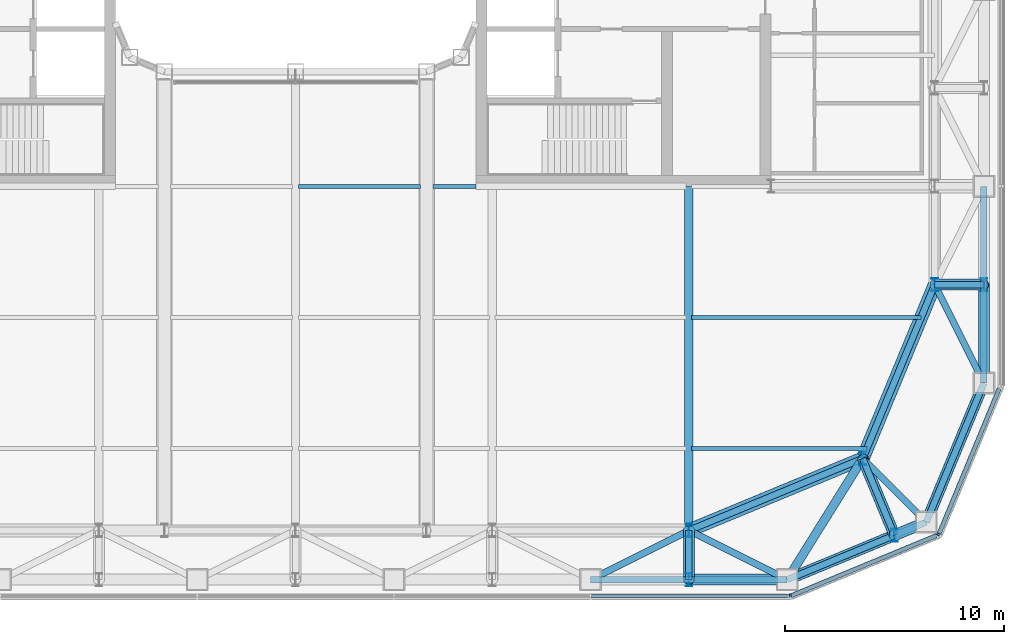
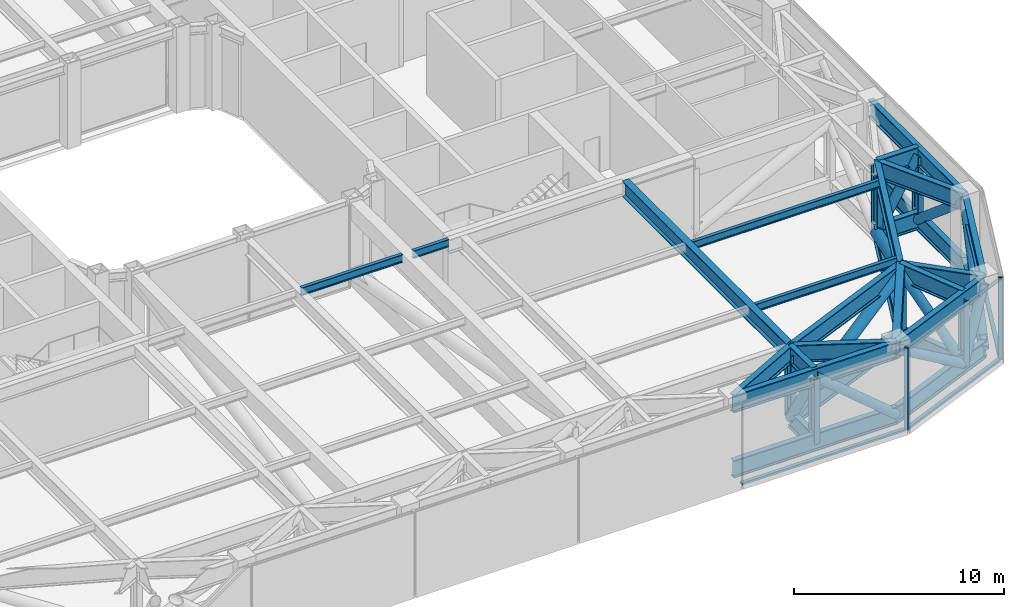
# One storey, part 5 of 33: 28 beams, 21 members, 3 elements without a shape of their own.
"""IFC4 building model written with IfcOpenShell, lengths in metres."""

from ifc_helpers import new_model, si_unit, direction, frame, origin, origin_2d, place, context, subcontext, project, spatial, rectangle, hollow_rectangle, hollow_circle, i_section, extrude, material, layer, layer_set, material_profile, profile_set, type_object, element, aggregate, save


model = new_model("IFC4")

# Units and contexts
model_context = context("Model", 3, precision=1e-05, world=origin(), true_north=direction((0.0, 1.0)))
body_context = subcontext(model_context, "Body", "Model", "MODEL_VIEW")
ifc_project = project(units=[si_unit("LENGTHUNIT", "METRE"), si_unit("AREAUNIT", "SQUARE_METRE"), si_unit("VOLUMEUNIT", "CUBIC_METRE"), si_unit("PLANEANGLEUNIT", "RADIAN"), si_unit("MASSUNIT", "GRAM", prefix="KILO")], contexts=[model_context])

# Site, building, storey
site_placement = place(None, origin())
site = spatial("IfcSite", under=ifc_project, at=site_placement, CompositionType="ELEMENT")
building_placement = place(site_placement, origin())
building = spatial("IfcBuilding", under=site, at=building_placement, Name="Siwar Civic Tower", CompositionType="ELEMENT")
storey_placement = place(building_placement, frame((0.0, 0.0, 94.199951171875)))
storey = spatial("IfcBuildingStorey", under=building, at=storey_placement, Name="L20", CompositionType="ELEMENT", Elevation=94.199951171875)

# Curtain wall, member
ifc_material_1 = material(Name="Aluminium and glass", Category="aluminium")
ifc_layer = layer(ifc_material_1, 0.199951171875)
ifc_layer_set = layer_set([ifc_layer], Name="Aluminium and glass")
curtain_wall_type = type_object("IfcCurtainWallType", Name="ENV-CW-P", PredefinedType="NOTDEFINED", material=ifc_layer_set)
curtain_wall_1_placement = place(storey_placement, origin())
curtain_wall_1 = element("IfcCurtainWall", 1, at=curtain_wall_1_placement, inside=storey, type_object=curtain_wall_type, Name="Curtain wall P SE1", PredefinedType="NOTDEFINED")
ifc_material_2 = material(Name="Aluminium 6063-T6", Category="aluminium")
ifc_material_profile_1 = material_profile(ifc_material_2, rectangle(XDim=0.199951171875, YDim=0.10009765625, at=origin_2d()), Name="AL 200x100")
ifc_profile_set_1 = profile_set([ifc_material_profile_1], Name="Aluminium 6063-T6")
member_type_1 = type_object("IfcMemberType", Name="ENV-MULLION-P", PredefinedType="MULLION", material=ifc_profile_set_1)
member_1_placement = place(storey_placement, frame((22.649169921875, -32.25, 0.0), z_axis=(0.0, 0.0, 1.0), x_axis=(-0.382683432365, 0.923879532511, 0.0)))
member_1 = element("IfcMember", 2, at=member_1_placement, type_object=member_type_1, Name="Mullion P SE1 1", PredefinedType="MULLION", context=body_context, shape_type="SweptSolid", body=[
    extrude(rectangle(XDim=0.199951171875, YDim=0.10009765625, at=origin_2d()), origin(), (0.0, 0.0, 1.0), 4.800048828125),
])

curtain_wall_2_placement = place(storey_placement, origin())
curtain_wall_2 = element("IfcCurtainWall", 3, at=curtain_wall_2_placement, inside=storey, type_object=curtain_wall_type, Name="Curtain wall P SE2", PredefinedType="NOTDEFINED")
member_2_placement = place(storey_placement, frame((29.43798828125, -29.43798828125, 0.0), z_axis=(0.0, 0.0, 1.0), x_axis=(-0.923879532511, 0.382683432365, 0.0)))
member_2 = element("IfcMember", 4, at=member_2_placement, type_object=member_type_1, Name="Mullion P SE2 1", PredefinedType="MULLION", context=body_context, shape_type="SweptSolid", body=[
    extrude(rectangle(XDim=0.199951171875, YDim=0.10009765625, at=origin_2d()), origin(), (0.0, 0.0, 1.0), 4.800048828125),
])

curtain_wall_3_placement = place(storey_placement, origin())
curtain_wall_3 = element("IfcCurtainWall", 5, at=curtain_wall_3_placement, inside=storey, type_object=curtain_wall_type, Name="Curtain wall P S", PredefinedType="NOTDEFINED")
ifc_material_3 = material(Name="Aluminium 6063-T6", Category="aluminium")
ifc_material_profile_2 = material_profile(ifc_material_3, rectangle(XDim=0.199951171875, YDim=0.1201171875, at=origin_2d()), Name="AL 200x120")
ifc_profile_set_2 = profile_set([ifc_material_profile_2], Name="Aluminium 6063-T6")
member_type_2 = type_object("IfcMemberType", Name="ENV-TRANSOM-P", PredefinedType="USERDEFINED", material=ifc_profile_set_2)
member_3_placement = place(storey_placement, frame((13.550048828125, -32.25, 0.06005859375), z_axis=(1.0, 0.0, 0.0), x_axis=(0.0, 1.0, 0.0)))
member_3 = element("IfcMember", 6, at=member_3_placement, type_object=member_type_2, Name="Transom P S 5", ObjectType="TRANSOM", PredefinedType="USERDEFINED", context=body_context, shape_type="SweptSolid", body=[
    extrude(rectangle(XDim=0.199951171875, YDim=0.1201171875, at=origin_2d()), origin(), (0.0, 0.0, 1.0), 8.97314453125),
])
aggregate(curtain_wall_3, [member_3])

# Member
member_4_placement = place(storey_placement, frame((22.6953125, -32.23095703125, 0.06005859375), z_axis=(0.923881582012, 0.382678484395, 0.0), x_axis=(-0.382678484395, 0.923881582012, 0.0)))
member_4 = element("IfcMember", 7, at=member_4_placement, type_object=member_type_2, Name="Transom P SE1 1", ObjectType="TRANSOM", PredefinedType="USERDEFINED", context=body_context, shape_type="SweptSolid", body=[
    extrude(rectangle(XDim=0.199951171875, YDim=0.1201171875, at=origin_2d()), origin(), (0.0, 0.0, 1.0), 7.172119140625),
])

aggregate(curtain_wall_1, [member_1, member_4])

member_5_placement = place(storey_placement, frame((29.45703125, -29.391845703125, 0.06005859375), z_axis=(0.382678484395, 0.923881582012, 0.0), x_axis=(-0.923881582012, 0.382678484395, 0.0)))
member_5 = element("IfcMember", 8, at=member_5_placement, type_object=member_type_2, Name="Transom P SE2 1", ObjectType="TRANSOM", PredefinedType="USERDEFINED", context=body_context, shape_type="SweptSolid", body=[
    extrude(rectangle(XDim=0.199951171875, YDim=0.1201171875, at=origin_2d()), origin(), (0.0, 0.0, 1.0), 7.172119140625),
])

aggregate(curtain_wall_2, [member_2, member_5])

# Beams
ifc_material_4 = material(Name="Steel S460", Category="steel")
ifc_material_profile_3 = material_profile(ifc_material_4, i_section(OverallWidth=0.302001953125, OverallDepth=1.008056640625, WebThickness=0.02099609375, FlangeThickness=0.0400390625, FilletRadius=0.030029296875, at=origin_2d()), Name="HEM1000")
ifc_profile_set_3 = profile_set([ifc_material_profile_3], Name="Steel S460")
beam_type_1 = type_object("IfcBeamType", Name="STR-BELT-TRUSS-CHORD-HEM1000", PredefinedType="BEAM", material=ifc_profile_set_3)
for number, where, z_axis, x_axis, name in (
    (9, (18.0, -29.25, 0.504150390625), (0.923872720536, 0.382699877515, 0.0), (-0.382699877515, 0.923872720536, 0.0), "Belt truss chord"),
    (10, (18.0, -29.25, 4.296142578125), (0.923872720536, 0.382699877515, 0.0), (-0.382699877515, 0.923872720536, 0.0), "Belt truss chord"),
    (11, (25.954833984375, -25.954833984375, 0.504150390625), (0.382699877515, 0.923872720536, 0.0), (-0.923872720536, 0.382699877515, 0.0), "Belt truss chord"),
    (12, (25.954833984375, -25.954833984375, 4.296142578125), (0.382699877515, 0.923872720536, 0.0), (-0.923872720536, 0.382699877515, 0.0), "Belt truss chord"),
):
    element("IfcBeam", number, at=place(storey_placement, frame(where, z_axis=z_axis, x_axis=x_axis)), inside=storey, type_object=beam_type_1, Name=name, PredefinedType="BEAM", context=body_context, shape_type="SweptSolid", body=[
        extrude(i_section(OverallWidth=0.302001953125, OverallDepth=1.008056640625, WebThickness=0.02099609375, FlangeThickness=0.0400390625, FilletRadius=0.030029296875, at=origin_2d()), origin(), (0.0, 0.0, 1.0), 8.6103515625),
    ])
for number, where, z_axis, x_axis, name in (
    (13, (13.5, -31.5, 0.504150390625), (1.0, 0.0, 0.0), (0.0, 1.0, 0.0), "Belt truss chord"),
    (14, (13.5, -31.5, 4.296142578125), (1.0, 0.0, 0.0), (0.0, 1.0, 0.0), "Belt truss chord"),
):
    element("IfcBeam", number, at=place(storey_placement, frame(where, z_axis=z_axis, x_axis=x_axis)), inside=storey, type_object=beam_type_1, Name=name, PredefinedType="BEAM", context=body_context, shape_type="SweptSolid", body=[
        extrude(i_section(OverallWidth=0.302001953125, OverallDepth=1.008056640625, WebThickness=0.02099609375, FlangeThickness=0.0400390625, FilletRadius=0.030029296875, at=origin_2d()), origin(), (0.0, 0.0, 1.0), 9.0),
    ])
for number, where, z_axis, x_axis, name in (
    (15, (22.5, -31.5, 0.504150390625), (0.923883353507, 0.382674207535, 0.0), (-0.382674207535, 0.923883353507, 0.0), "Belt truss chord"),
    (16, (22.5, -31.5, 4.296142578125), (0.923883353507, 0.382674207535, 0.0), (-0.382674207535, 0.923883353507, 0.0), "Belt truss chord"),
    (17, (28.864013671875, -28.864013671875, 0.504150390625), (0.382674207535, 0.923883353507, 0.0), (-0.923883353507, 0.382674207535, 0.0), "Belt truss chord"),
    (18, (28.864013671875, -28.864013671875, 4.296142578125), (0.382674207535, 0.923883353507, 0.0), (-0.923883353507, 0.382674207535, 0.0), "Belt truss chord"),
):
    element("IfcBeam", number, at=place(storey_placement, frame(where, z_axis=z_axis, x_axis=x_axis)), inside=storey, type_object=beam_type_1, Name=name, PredefinedType="BEAM", context=body_context, shape_type="SweptSolid", body=[
        extrude(i_section(OverallWidth=0.302001953125, OverallDepth=1.008056640625, WebThickness=0.02099609375, FlangeThickness=0.0400390625, FilletRadius=0.030029296875, at=origin_2d()), origin(), (0.0, 0.0, 1.0), 6.888427734375),
    ])
for number, where, z_axis, x_axis, name in (
    (19, (31.5, -22.5, 0.504150390625), (0.0, 1.0, 0.0), (-1.0, 0.0, 0.0), "Belt truss chord"),
    (20, (31.5, -22.5, 4.296142578125), (0.0, 1.0, 0.0), (-1.0, 0.0, 0.0), "Belt truss chord"),
):
    element("IfcBeam", number, at=place(storey_placement, frame(where, z_axis=z_axis, x_axis=x_axis)), inside=storey, type_object=beam_type_1, Name=name, PredefinedType="BEAM", context=body_context, shape_type="SweptSolid", body=[
        extrude(i_section(OverallWidth=0.302001953125, OverallDepth=1.008056640625, WebThickness=0.02099609375, FlangeThickness=0.0400390625, FilletRadius=0.030029296875, at=origin_2d()), origin(), (0.0, 0.0, 1.0), 9.0),
    ])

# Members
ifc_material_5 = material(Name="Steel S355", Category="steel")
ifc_material_profile_4 = material_profile(ifc_material_5, hollow_circle(Radius=0.25390625, WallThickness=0.02490234375, at=origin_2d()), Name="CHS508x25")
ifc_profile_set_4 = profile_set([ifc_material_profile_4], Name="Steel S355")
member_type_3 = type_object("IfcMemberType", Name="STR-BELT-TRUSS-DIAGONAL-CHS508x25", PredefinedType="BRACE", material=ifc_profile_set_4)
member_6_placement = place(storey_placement, frame((22.50390625, -31.5, 0.500732421875), z_axis=(-0.764699580999, 0.0, 0.644386957364), x_axis=(0.0, -1.0, 0.0)))
element("IfcMember", 21, at=member_6_placement, inside=storey, type_object=member_type_3, Name="Belt truss diagonal", PredefinedType="BRACE", context=body_context, shape_type="SweptSolid", body=[
    extrude(hollow_circle(Radius=0.25390625, WallThickness=0.02490234375, at=origin_2d()), origin(), (0.0, 0.0, 1.0), 5.894775390625),
])
member_7_placement = place(storey_placement, frame((27.413330078125, -29.46484375, 0.501220703125), z_axis=(-0.752038409319, -0.311494757226, 0.580869389045), x_axis=(0.382673207131, -0.923883767876, 0.0)))
element("IfcMember", 22, at=member_7_placement, inside=storey, type_object=member_type_3, Name="Belt truss diagonal", PredefinedType="BRACE", context=body_context, shape_type="SweptSolid", body=[
    extrude(hollow_circle(Radius=0.25390625, WallThickness=0.02490234375, at=origin_2d()), origin(), (0.0, 0.0, 1.0), 6.538330078125),
])
member_8_placement = place(storey_placement, frame((27.40771484375, -29.46728515625, 0.49951171875), z_axis=(0.35424183321, 0.146750551802, 0.92356753903), x_axis=(-0.382725237776, 0.923862215035, 0.0)))
element("IfcMember", 23, at=member_8_placement, inside=storey, type_object=member_type_3, Name="Belt truss diagonal", PredefinedType="BRACE", context=body_context, shape_type="SweptSolid", body=[
    extrude(hollow_circle(Radius=0.25390625, WallThickness=0.02490234375, at=origin_2d()), origin(), (0.0, 0.0, 1.0), 4.115966796875),
])
member_9_placement = place(storey_placement, frame((28.8623046875, -28.867919921875, 0.501708984375), z_axis=(0.335247560212, 0.80935725849, 0.48223428072), x_axis=(-0.923879206846, 0.38268421859, 0.0)))
element("IfcMember", 24, at=member_9_placement, inside=storey, type_object=member_type_3, Name="Belt truss diagonal", PredefinedType="BRACE", context=body_context, shape_type="SweptSolid", body=[
    extrude(hollow_circle(Radius=0.25390625, WallThickness=0.02490234375, at=origin_2d()), origin(), (0.0, 0.0, 1.0), 7.873046875),
])
member_10_placement = place(storey_placement, frame((31.5, -17.99609375, 0.500732421875), z_axis=(0.0, -0.764699580999, 0.644386957364), x_axis=(1.0, 0.0, 0.0)))
element("IfcMember", 25, at=member_10_placement, inside=storey, type_object=member_type_3, Name="Belt truss diagonal", PredefinedType="BRACE", context=body_context, shape_type="SweptSolid", body=[
    extrude(hollow_circle(Radius=0.25390625, WallThickness=0.02490234375, at=origin_2d()), origin(), (0.0, 0.0, 1.0), 5.894775390625),
])
member_11_placement = place(storey_placement, frame((18.0, -29.24755859375, 0.499755859375), z_axis=(0.0, -0.510256630496, 0.860022192176), x_axis=(1.0, 0.0, 0.0)))
element("IfcMember", 26, at=member_11_placement, inside=storey, type_object=member_type_3, Name="Belt truss diagonal", PredefinedType="BRACE", context=body_context, shape_type="SweptSolid", body=[
    extrude(hollow_circle(Radius=0.25390625, WallThickness=0.02490234375, at=origin_2d()), origin(), (0.0, 0.0, 1.0), 4.419189453125),
])
member_12_placement = place(storey_placement, frame((27.410888671875, -29.4697265625, 0.50048828125), z_axis=(-0.270920550107, 0.654040061492, 0.706281568139), x_axis=(-0.92387539413, -0.382693423148, 0.0)))
element("IfcMember", 27, at=member_12_placement, inside=storey, type_object=member_type_3, Name="Belt truss diagonal", PredefinedType="BRACE", context=body_context, shape_type="SweptSolid", body=[
    extrude(hollow_circle(Radius=0.25390625, WallThickness=0.02490234375, at=origin_2d()), origin(), (0.0, 0.0, 1.0), 5.37890625),
])
member_13_placement = place(storey_placement, frame((29.24755859375, -18.0, 0.499755859375), z_axis=(0.510256630496, 0.0, 0.860022192176), x_axis=(0.0, 1.0, 0.0)))
element("IfcMember", 28, at=member_13_placement, inside=storey, type_object=member_type_3, Name="Belt truss diagonal", PredefinedType="BRACE", context=body_context, shape_type="SweptSolid", body=[
    extrude(hollow_circle(Radius=0.25390625, WallThickness=0.02490234375, at=origin_2d()), origin(), (0.0, 0.0, 1.0), 4.419189453125),
])
ifc_material_6 = material(Name="Steel S355", Category="steel")
ifc_material_profile_5 = material_profile(ifc_material_6, hollow_circle(Radius=0.304931640625, WallThickness=0.030029296875, at=origin_2d()), Name="CHS610x30")
ifc_profile_set_5 = profile_set([ifc_material_profile_5], Name="Steel S355")
member_type_4 = type_object("IfcMemberType", Name="STR-BELT-TRUSS-DIAGONAL-CHS610x30", PredefinedType="BRACE", material=ifc_profile_set_5)
for number, where, z_axis, x_axis, name in (
    (29, (17.995849609375, -29.251708984375, 0.501953125), (0.845510540146, 0.350226651172, 0.403054858935), (-0.382687832972, 0.923877709708, 0.0), "Belt truss diagonal"),
    (30, (29.251708984375, -17.995849609375, 0.501953125), (-0.350226651172, -0.845510540146, 0.403054858935), (0.923877709708, -0.382687832972, 0.0), "Belt truss diagonal"),
):
    element("IfcMember", number, at=place(storey_placement, frame(where, z_axis=z_axis, x_axis=x_axis)), inside=storey, type_object=member_type_4, Name=name, PredefinedType="BRACE", context=body_context, shape_type="SweptSolid", body=[
        extrude(hollow_circle(Radius=0.304931640625, WallThickness=0.030029296875, at=origin_2d()), origin(), (0.0, 0.0, 1.0), 9.41845703125),
    ])

# Beams
ifc_material_7 = material(Name="Steel S460", Category="steel")
ifc_material_profile_6 = material_profile(ifc_material_7, i_section(OverallWidth=0.302001953125, OverallDepth=1.008056640625, WebThickness=0.02099609375, FlangeThickness=0.0400390625, FilletRadius=0.030029296875, at=origin_2d()), Name="HEM1000")
ifc_profile_set_6 = profile_set([ifc_material_profile_6], Name="Steel S460")
beam_type_2 = type_object("IfcBeamType", Name="STR-BELT-TRUSS-LADDER-CHORD-HEM1000", PredefinedType="BEAM", material=ifc_profile_set_6)
for number, where, z_axis, x_axis, name in (
    (31, (18.0, -29.25, 0.504150390625), (0.0, -1.0, 0.0), (1.0, 0.0, 0.0), "Belt truss ladder chord"),
    (32, (18.0, -29.25, 4.296142578125), (0.0, -1.0, 0.0), (1.0, 0.0, 0.0), "Belt truss ladder chord"),
):
    element("IfcBeam", number, at=place(storey_placement, frame(where, z_axis=z_axis, x_axis=x_axis)), inside=storey, type_object=beam_type_2, Name=name, PredefinedType="BEAM", context=body_context, shape_type="SweptSolid", body=[
        extrude(i_section(OverallWidth=0.302001953125, OverallDepth=1.008056640625, WebThickness=0.02099609375, FlangeThickness=0.0400390625, FilletRadius=0.030029296875, at=origin_2d()), origin(), (0.0, 0.0, 1.0), 2.25),
    ])
for number, where, z_axis, x_axis, name in (
    (33, (25.954833984375, -25.954833984375, 0.504150390625), (0.382680807349, -0.923880619824, 0.0), (0.923880619824, 0.382680807349, 0.0), "Belt truss ladder chord"),
    (34, (25.954833984375, -25.954833984375, 4.296142578125), (0.382680807349, -0.923880619824, 0.0), (0.923880619824, 0.382680807349, 0.0), "Belt truss ladder chord"),
):
    element("IfcBeam", number, at=place(storey_placement, frame(where, z_axis=z_axis, x_axis=x_axis)), inside=storey, type_object=beam_type_2, Name=name, PredefinedType="BEAM", context=body_context, shape_type="SweptSolid", body=[
        extrude(i_section(OverallWidth=0.302001953125, OverallDepth=1.008056640625, WebThickness=0.02099609375, FlangeThickness=0.0400390625, FilletRadius=0.030029296875, at=origin_2d()), origin(), (0.0, 0.0, 1.0), 3.801025390625),
    ])
for number, where, z_axis, x_axis, name in (
    (35, (29.25, -18.0, 0.504150390625), (1.0, 0.0, 0.0), (0.0, 1.0, 0.0), "Belt truss ladder chord"),
    (36, (29.25, -18.0, 4.296142578125), (1.0, 0.0, 0.0), (0.0, 1.0, 0.0), "Belt truss ladder chord"),
):
    element("IfcBeam", number, at=place(storey_placement, frame(where, z_axis=z_axis, x_axis=x_axis)), inside=storey, type_object=beam_type_2, Name=name, PredefinedType="BEAM", context=body_context, shape_type="SweptSolid", body=[
        extrude(i_section(OverallWidth=0.302001953125, OverallDepth=1.008056640625, WebThickness=0.02099609375, FlangeThickness=0.0400390625, FilletRadius=0.030029296875, at=origin_2d()), origin(), (0.0, 0.0, 1.0), 2.25),
    ])

# Members
ifc_material_8 = material(Name="Steel S355", Category="steel")
ifc_material_profile_7 = material_profile(ifc_material_8, i_section(OverallWidth=0.300048828125, OverallDepth=0.60009765625, WebThickness=0.015380859375, FlangeThickness=0.030029296875, FilletRadius=0.027099609375, at=origin_2d()), Name="HEB600")
ifc_profile_set_7 = profile_set([ifc_material_profile_7], Name="Steel S355")
member_type_5 = type_object("IfcMemberType", Name="STR-BELT-TRUSS-POST-HEB600", PredefinedType="POST", material=ifc_profile_set_7)
for number, where, z_axis, x_axis, name in (
    (37, (18.0, -31.5, 0.504150390625), (0.0, 0.0, 1.0), (1.0, 0.0, 0.0), "Belt truss post"),
    (38, (18.0, -29.25, 0.504150390625), (0.0, 0.0, 1.0), (1.0, 0.0, 0.0), "Belt truss post"),
    (39, (25.954833984375, -25.954833984375, 0.504150390625), (0.0, 0.0, 1.0), (1.0, 0.0, 0.0), "Belt truss post"),
    (40, (27.409423828125, -29.466552734375, 0.504150390625), (0.0, 0.0, 1.0), (1.0, 0.0, 0.0), "Belt truss post"),
    (41, (29.25, -18.0, 0.504150390625), (0.0, 0.0, 1.0), (1.0, 0.0, 0.0), "Belt truss post"),
    (42, (31.5, -18.0, 0.504150390625), (0.0, 0.0, 1.0), (1.0, 0.0, 0.0), "Belt truss post"),
):
    element("IfcMember", number, at=place(storey_placement, frame(where, z_axis=z_axis, x_axis=x_axis)), inside=storey, type_object=member_type_5, Name=name, PredefinedType="POST", context=body_context, shape_type="SweptSolid", body=[
        extrude(i_section(OverallWidth=0.300048828125, OverallDepth=0.60009765625, WebThickness=0.015380859375, FlangeThickness=0.030029296875, FilletRadius=0.027099609375, at=origin_2d()), origin(), (0.0, 0.0, 1.0), 3.7919921875),
    ])

# Beams
ifc_material_9 = material(Name="Steel S355", Category="steel")
ifc_material_profile_8 = material_profile(ifc_material_9, i_section(OverallWidth=0.18994140625, OverallDepth=0.449951171875, WebThickness=0.009521484375, FlangeThickness=0.0146484375, FilletRadius=0.02099609375, at=origin_2d()), Name="IPE450")
ifc_profile_set_8 = profile_set([ifc_material_profile_8], Name="Steel S355")
beam_type_3 = type_object("IfcBeamType", Name="STR-FB-IPE450", PredefinedType="JOIST", material=ifc_profile_set_8)
beam_1_placement = place(storey_placement, frame((18.1298828125, -25.5, 4.574951171875), z_axis=(1.0, 0.0, 0.0), x_axis=(0.0, 1.0, 0.0)))
element("IfcBeam", 43, at=beam_1_placement, inside=storey, type_object=beam_type_3, Name="L20/bm/F008", PredefinedType="JOIST", context=body_context, shape_type="SweptSolid", body=[
    extrude(i_section(OverallWidth=0.18994140625, OverallDepth=0.449951171875, WebThickness=0.009521484375, FlangeThickness=0.0146484375, FilletRadius=0.02099609375, at=origin_2d()), origin(), (0.0, 0.0, 1.0), 8.013427734375),
])
beam_2_placement = place(storey_placement, frame((18.1298828125, -19.5, 4.574951171875), z_axis=(1.0, 0.0, 0.0), x_axis=(0.0, 1.0, 0.0)))
element("IfcBeam", 44, at=beam_2_placement, inside=storey, type_object=beam_type_3, Name="L20/bm/F016", PredefinedType="JOIST", context=body_context, shape_type="SweptSolid", body=[
    extrude(i_section(OverallWidth=0.18994140625, OverallDepth=0.449951171875, WebThickness=0.009521484375, FlangeThickness=0.0146484375, FilletRadius=0.02099609375, at=origin_2d()), origin(), (0.0, 0.0, 1.0), 10.498779296875),
])
beam_3_placement = place(storey_placement, frame((0.1298828125, -13.5, 4.574951171875), z_axis=(1.0, 0.0, 0.0), x_axis=(0.0, 1.0, 0.0)))
element("IfcBeam", 45, at=beam_3_placement, inside=storey, type_object=beam_type_3, Name="L20/bm/F021", PredefinedType="JOIST", context=body_context, shape_type="SweptSolid", body=[
    extrude(i_section(OverallWidth=0.18994140625, OverallDepth=0.449951171875, WebThickness=0.009521484375, FlangeThickness=0.0146484375, FilletRadius=0.02099609375, at=origin_2d()), origin(), (0.0, 0.0, 1.0), 5.590087890625),
])
beam_4_placement = place(storey_placement, frame((6.280029296875, -13.5, 4.574951171875), z_axis=(1.0, 0.0, 0.0), x_axis=(0.0, 1.0, 0.0)))
element("IfcBeam", 46, at=beam_4_placement, inside=storey, type_object=beam_type_3, Name="L20/bm/F022", PredefinedType="JOIST", context=body_context, shape_type="SweptSolid", body=[
    extrude(i_section(OverallWidth=0.18994140625, OverallDepth=0.449951171875, WebThickness=0.009521484375, FlangeThickness=0.0146484375, FilletRadius=0.02099609375, at=origin_2d()), origin(), (0.0, 0.0, 1.0), 1.969970703125),
])
ifc_material_10 = material(Name="Steel S355", Category="steel")
ifc_material_profile_9 = material_profile(ifc_material_10, i_section(OverallWidth=0.3798828125, OverallDepth=0.89990234375, WebThickness=0.01611328125, FlangeThickness=0.035888671875, at=origin_2d()), Name="PG900x380x16x36")
ifc_profile_set_9 = profile_set([ifc_material_profile_9], Name="Steel S355")
beam_type_4 = type_object("IfcBeamType", Name="STR-PG-PG900x380x16x36", PredefinedType="BEAM", material=ifc_profile_set_9)
beam_5_placement = place(storey_placement, frame((18.0, -29.25, 4.35009765625), z_axis=(0.0, 1.0, 0.0), x_axis=(-1.0, 0.0, 0.0)))
element("IfcBeam", 47, at=beam_5_placement, inside=storey, type_object=beam_type_4, Name="L20/bm/G09", PredefinedType="BEAM", context=body_context, shape_type="SweptSolid", body=[
    extrude(i_section(OverallWidth=0.3798828125, OverallDepth=0.89990234375, WebThickness=0.01611328125, FlangeThickness=0.035888671875, at=origin_2d()), origin(), (0.0, 0.0, 1.0), 15.75),
])
ifc_material_11 = material(Name="Steel S460", Category="steel")
ifc_material_profile_10 = material_profile(ifc_material_11, hollow_rectangle(XDim=0.39990234375, YDim=1.008056640625, WallThickness=0.0400390625, at=origin_2d()), Name="BOX1008x400x40")
ifc_profile_set_10 = profile_set([ifc_material_profile_10], Name="Steel S460")
beam_type_5 = type_object("IfcBeamType", Name="STR-TRANSFER-GIRDER-BOX1008x400x40", PredefinedType="BEAM", material=ifc_profile_set_10)
beam_6_placement = place(storey_placement, frame((25.954833984375, -25.954833984375, 4.296142578125), z_axis=(-0.528799264525, -0.848746922137, 0.0), x_axis=(0.848746922137, -0.528799264525, 0.0)))
element("IfcBeam", 48, at=beam_6_placement, inside=storey, type_object=beam_type_5, Name="Transfer girder", PredefinedType="BEAM", context=body_context, shape_type="SweptSolid", body=[
    extrude(hollow_rectangle(XDim=0.39990234375, YDim=1.008056640625, WallThickness=0.0400390625, at=origin_2d()), origin(), (0.0, 0.0, 1.0), 6.533447265625),
])
ifc_material_12 = material(Name="Steel S460", Category="steel")
ifc_material_profile_11 = material_profile(ifc_material_12, i_section(OverallWidth=0.302001953125, OverallDepth=1.008056640625, WebThickness=0.02099609375, FlangeThickness=0.0400390625, FilletRadius=0.030029296875, at=origin_2d()), Name="HEM1000")
ifc_profile_set_11 = profile_set([ifc_material_profile_11], Name="Steel S460")
beam_type_6 = type_object("IfcBeamType", Name="STR-TRANSFER-GIRDER-HEM1000", PredefinedType="BEAM", material=ifc_profile_set_11)
for number, where, z_axis, x_axis, name in (
    (49, (18.0, -29.25, 4.296142578125), (-0.894427191, -0.4472135955, 0.0), (0.4472135955, -0.894427191, 0.0), "Transfer girder"),
    (50, (18.0, -29.25, 4.296142578125), (0.894427191, -0.4472135955, 0.0), (0.4472135955, 0.894427191, 0.0), "Transfer girder"),
):
    element("IfcBeam", number, at=place(storey_placement, frame(where, z_axis=z_axis, x_axis=x_axis)), inside=storey, type_object=beam_type_6, Name=name, PredefinedType="BEAM", context=body_context, shape_type="SweptSolid", body=[
        extrude(i_section(OverallWidth=0.302001953125, OverallDepth=1.008056640625, WebThickness=0.02099609375, FlangeThickness=0.0400390625, FilletRadius=0.030029296875, at=origin_2d()), origin(), (0.0, 0.0, 1.0), 5.03125),
    ])
beam_7_placement = place(storey_placement, frame((25.954833984375, -25.954833984375, 4.296142578125), z_axis=(0.707106781187, -0.707106781187, 0.0), x_axis=(0.707106781187, 0.707106781187, 0.0)))
element("IfcBeam", 51, at=beam_7_placement, inside=storey, type_object=beam_type_6, Name="Transfer girder", PredefinedType="BEAM", context=body_context, shape_type="SweptSolid", body=[
    extrude(i_section(OverallWidth=0.302001953125, OverallDepth=1.008056640625, WebThickness=0.02099609375, FlangeThickness=0.0400390625, FilletRadius=0.030029296875, at=origin_2d()), origin(), (0.0, 0.0, 1.0), 4.1142578125),
])
beam_8_placement = place(storey_placement, frame((29.25, -18.0, 4.296142578125), z_axis=(0.4472135955, -0.894427191, 0.0), x_axis=(0.894427191, 0.4472135955, 0.0)))
element("IfcBeam", 52, at=beam_8_placement, inside=storey, type_object=beam_type_6, Name="Transfer girder", PredefinedType="BEAM", context=body_context, shape_type="SweptSolid", body=[
    extrude(i_section(OverallWidth=0.302001953125, OverallDepth=1.008056640625, WebThickness=0.02099609375, FlangeThickness=0.0400390625, FilletRadius=0.030029296875, at=origin_2d()), origin(), (0.0, 0.0, 1.0), 5.03125),
])

save(model, "model.ifc")
